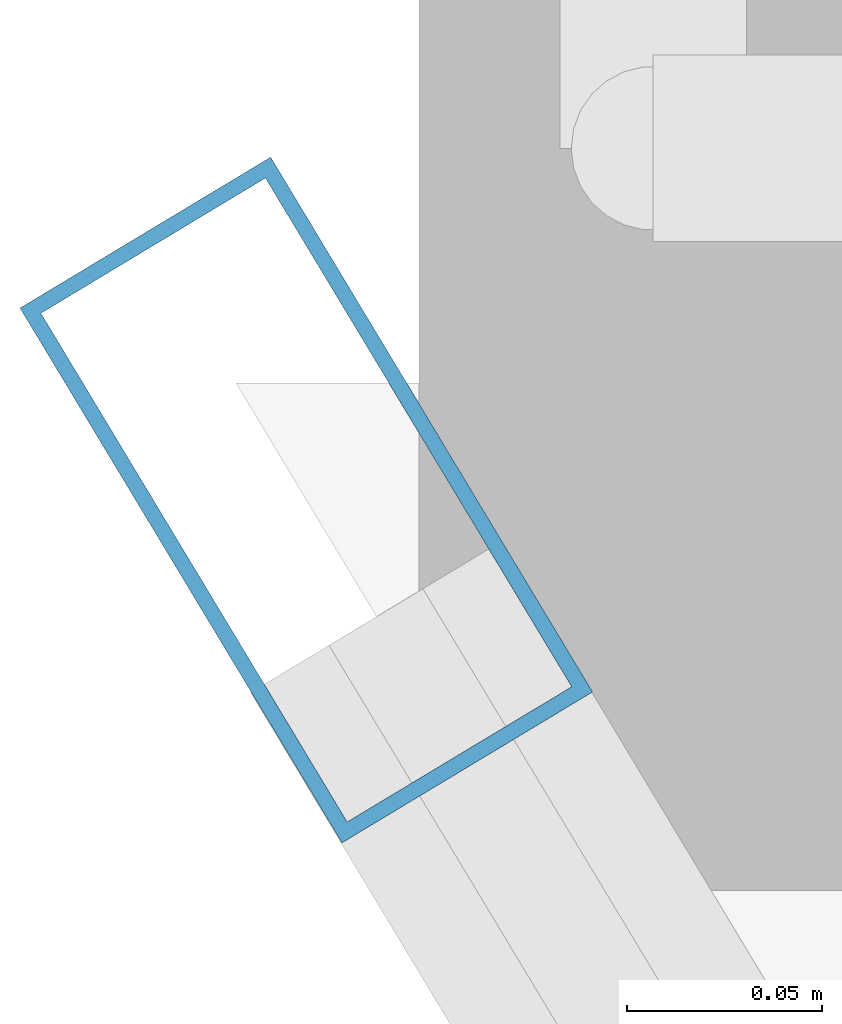
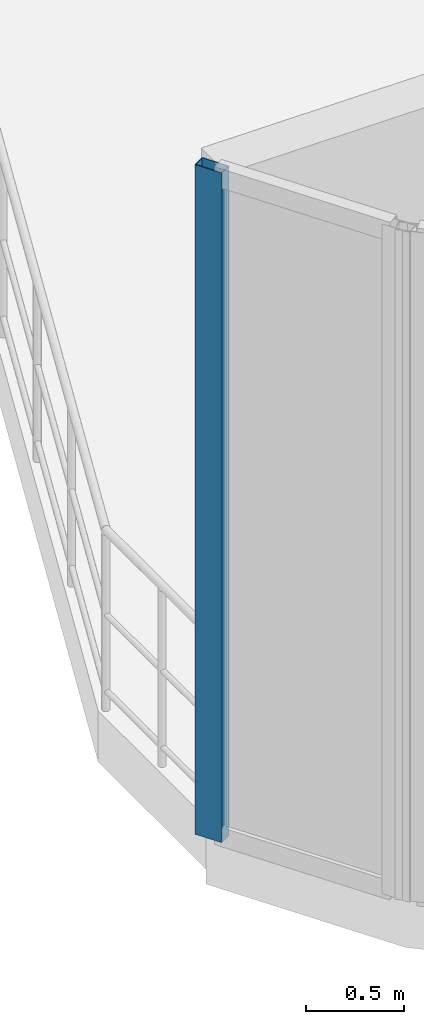
# One storey, part 7 of 24: 1 member, 1 element without a shape of its own.
"""IFC4 building model written with IfcOpenShell, lengths in metres."""

from ifc_helpers import new_model, si_unit, direction, frame, origin, origin_2d, place, context, subcontext, project, spatial, hollow_rectangle, extrude, material, layer, layer_set, material_profile, profile_set, type_object, element, aggregate, save


model = new_model("IFC4")

# Units and contexts
model_context = context("Model", 3, precision=1e-05, world=origin(), true_north=direction((0.0, 1.0)))
body_context = subcontext(model_context, "Body", "Model", "MODEL_VIEW")
ifc_project = project(units=[si_unit("LENGTHUNIT", "METRE"), si_unit("AREAUNIT", "SQUARE_METRE"), si_unit("VOLUMEUNIT", "CUBIC_METRE"), si_unit("PLANEANGLEUNIT", "RADIAN"), si_unit("MASSUNIT", "GRAM", prefix="KILO")], contexts=[model_context])

# Site, building, storey
site_placement = place(None, origin())
site = spatial("IfcSite", under=ifc_project, at=site_placement, CompositionType="ELEMENT")
building_placement = place(site_placement, origin())
building = spatial("IfcBuilding", under=site, at=building_placement, Name="Keshet Zoharim Tower", CompositionType="ELEMENT")
storey_placement = place(building_placement, frame((0.0, 0.0, 299.10009765625)))
storey = spatial("IfcBuildingStorey", under=building, at=storey_placement, Name="L75", CompositionType="ELEMENT", Elevation=299.10009765625)

# Curtain wall, member
ifc_material = material(Name="Aluminium 6063-T6", Category="aluminium")
ifc_layer = layer(ifc_material, 0.260009765625)
ifc_layer_set = layer_set([ifc_layer], Name="Aluminium 6063-T6")
curtain_wall_type = type_object("IfcCurtainWallType", Name="CW-SYS-06", PredefinedType="NOTDEFINED", material=ifc_layer_set)
curtain_wall_placement = place(storey_placement, origin())
curtain_wall = element("IfcCurtainWall", 1, at=curtain_wall_placement, inside=storey, type_object=curtain_wall_type, Name="L75 Unitised Curtain Wall 15", PredefinedType="NOTDEFINED")
ifc_material_profile = material_profile(ifc_material, hollow_rectangle(XDim=0.074951171875, YDim=0.159912109375, WallThickness=0.00390625, at=origin_2d()), Name="MUL-75x160")
ifc_profile_set = profile_set([ifc_material_profile], Name="Aluminium 6063-T6")
member_type = type_object("IfcMemberType", Name="CWM-M15", PredefinedType="MULLION", material=ifc_profile_set)
member_placement = place(storey_placement, frame((3.451171875, 22.75, 0.0), z_axis=(0.0, 0.0, 1.0), x_axis=(-0.856736056545, -0.515755106049, 0.0)))
member = element("IfcMember", 2, at=member_placement, type_object=member_type, Name="CW-06 mullion 2", PredefinedType="MULLION", context=body_context, shape_type="SweptSolid", body=[
    extrude(hollow_rectangle(XDim=0.074951171875, YDim=0.159912109375, WallThickness=0.00390625, at=origin_2d()), origin(), (0.0, 0.0, 1.0), 4.18994140625),
])
aggregate(curtain_wall, [member])

save(model, "model.ifc")
